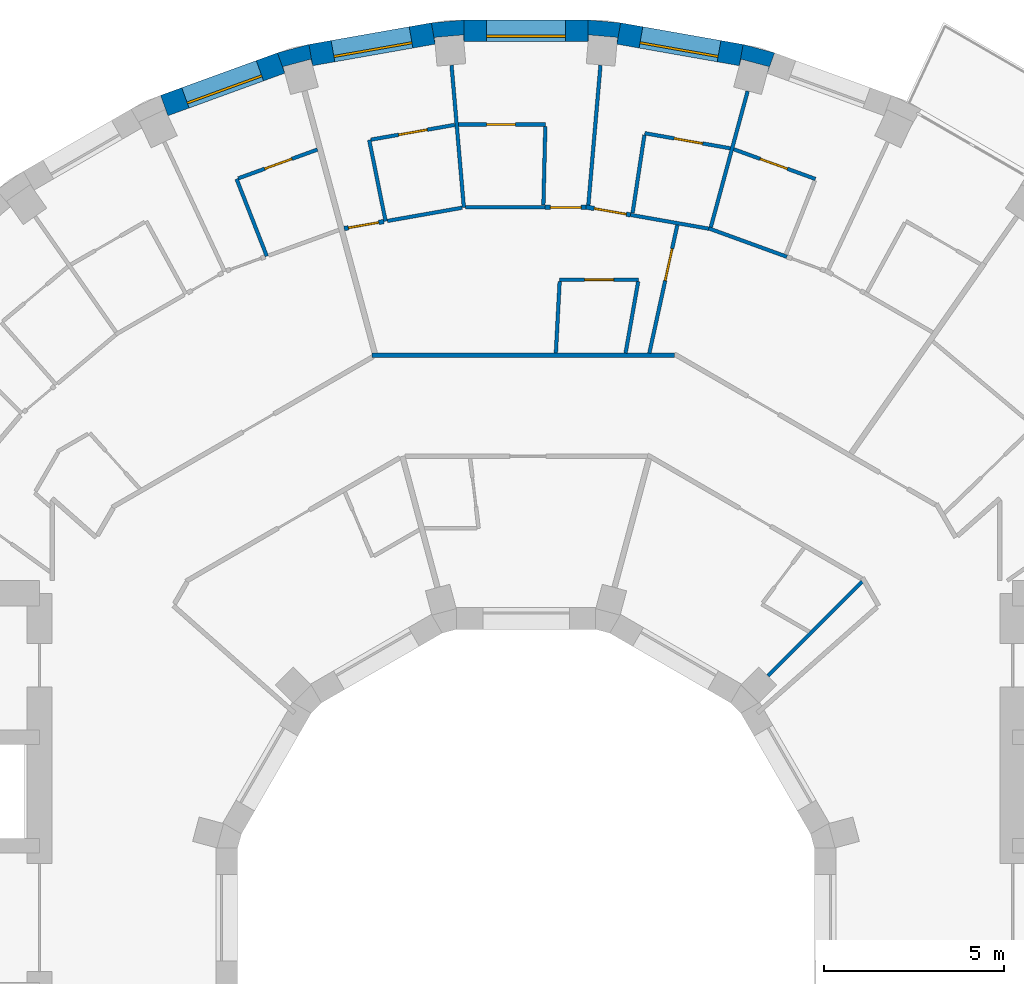
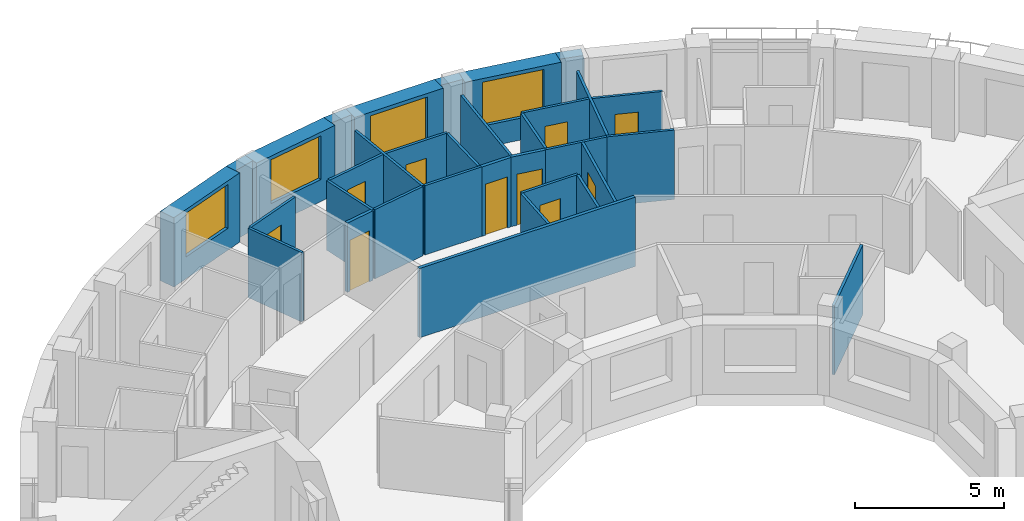
# One storey, part 12 of 15: 33 walls, 10 doors, 4 windows, 14 openings.
"""IFC4 building model written with IfcOpenShell, lengths in metres."""

from ifc_helpers import new_model, si_unit, direction, frame, frame_2d, origin, place, context, subcontext, project, spatial, polyline, rectangle, outline, extrude, material, layer, layer_set, type_object, element, fill, save


model = new_model("IFC4")

# Units and contexts
model_context = context("Model", 3, precision=1e-05, world=origin(), true_north=direction((0.0, 1.0)))
body_context = subcontext(model_context, "Body", "Model", "MODEL_VIEW")
ifc_project = project(units=[si_unit("LENGTHUNIT", "METRE"), si_unit("AREAUNIT", "SQUARE_METRE"), si_unit("VOLUMEUNIT", "CUBIC_METRE"), si_unit("PLANEANGLEUNIT", "RADIAN"), si_unit("MASSUNIT", "GRAM", prefix="KILO")], contexts=[model_context])

# Site, building, storey
site_placement = place(None, origin())
site = spatial("IfcSite", under=ifc_project, at=site_placement, CompositionType="ELEMENT")
building_placement = place(site_placement, origin())
building = spatial("IfcBuilding", under=site, at=building_placement, Name="Saqina Gate Tower", CompositionType="ELEMENT")
storey_placement = place(building_placement, frame((0.0, 0.0, 193.800048828125)))
storey = spatial("IfcBuildingStorey", under=building, at=storey_placement, Name="L55", CompositionType="ELEMENT", Elevation=193.800048828125)

# Walls
ifc_material_1 = material(Name="Brick masonry (buff)", Category="masonry")
wall_type_1 = type_object("IfcWallType", Name="BRICK PIER COPING BUFF", PredefinedType="SOLIDWALL", material=ifc_material_1)
wall_1_placement = place(storey_placement, origin())
element("IfcWall", 1, at=wall_1_placement, inside=storey, type_object=wall_type_1, Name="Pier cap L55 column 8", PredefinedType="SOLIDWALL", context=body_context, shape_type="SweptSolid", body=[
    extrude(outline(polyline([(6.0234375, 24.22705078125), (5.919189453125, 23.635986328125), (5.967529296875, 23.81689453125), (6.740478515625, 23.610107421875), (6.69189453125, 23.428955078125), (6.897216796875, 23.992919921875), (6.0234375, 24.22705078125)])), origin(), (0.0, 0.0, 1.0), 2.849853515625),
])
wall_2_placement = place(storey_placement, origin())
element("IfcWall", 2, at=wall_2_placement, inside=storey, type_object=wall_type_1, Name="Pier cap L55 column 9", PredefinedType="SOLIDWALL", context=body_context, shape_type="SweptSolid", body=[
    extrude(outline(polyline([(2.6259765625, 24.825927734375), (1.724853515625, 24.90478515625), (1.724853515625, 24.304931640625), (1.7412109375, 24.491455078125), (2.5380859375, 24.421630859375), (2.521728515625, 24.235107421875), (2.6259765625, 24.825927734375)])), origin(), (0.0, 0.0, 1.0), 2.849853515625),
])
wall_3_placement = place(storey_placement, origin())
element("IfcWall", 3, at=wall_3_placement, inside=storey, type_object=wall_type_1, Name="Pier cap L55 column 10", PredefinedType="SOLIDWALL", context=body_context, shape_type="SweptSolid", body=[
    extrude(outline(polyline([(-1.724853515625, 24.90478515625), (-2.6259765625, 24.825927734375), (-2.521728515625, 24.235107421875), (-2.5380859375, 24.421630859375), (-1.7412109375, 24.491455078125), (-1.724853515625, 24.304931640625), (-1.724853515625, 24.90478515625)])), origin(), (0.0, 0.0, 1.0), 2.849853515625),
])
wall_4_placement = place(storey_placement, origin())
element("IfcWall", 4, at=wall_4_placement, inside=storey, type_object=wall_type_1, Name="Pier cap L55 column 11", PredefinedType="SOLIDWALL", context=body_context, shape_type="SweptSolid", body=[
    extrude(outline(polyline([(-6.0234375, 24.22705078125), (-6.897216796875, 23.992919921875), (-6.69189453125, 23.428955078125), (-6.740478515625, 23.610107421875), (-5.967529296875, 23.81689453125), (-5.919189453125, 23.635986328125), (-6.0234375, 24.22705078125)])), origin(), (0.0, 0.0, 1.0), 2.849853515625),
])

# Wall, opening, window
ifc_material_2 = material(Name="Brick masonry (buff)", Category="masonry")
ifc_layer_1 = layer(ifc_material_2, 0.60009765625)
ifc_layer_set_1 = layer_set([ifc_layer_1], Name="FW-BRICK-BUFF")
wall_type_2 = type_object("IfcWallType", Name="FW-BRICK-BUFF", PredefinedType="SOLIDWALL", material=ifc_layer_set_1)
wall_5_placement = place(storey_placement, frame((5.97119140625, 23.931640625, 0.0), z_axis=(0.0, 0.0, 1.0), x_axis=(-0.984814892183, 0.173607684551, 0.0)))
wall_5 = element("IfcWall", 5, at=wall_5_placement, inside=storey, type_object=wall_type_2, Name="Facade wall L55 facet 8", PredefinedType="SOLIDWALL", context=body_context, shape_type="SweptSolid", body=[
    extrude(rectangle(XDim=3.44970703125, YDim=0.60009765625, at=frame_2d((1.724853515625, 0.0))), origin(), (0.0, 0.0, 1.0), 2.849853515625),
])
opening_1_placement = place(wall_5_placement, frame((0.625, 0.0, 0.89990234375)))
opening_1 = element("IfcOpeningElement", 6, at=opening_1_placement, cuts=wall_5, Name="Opening G16-W02", PredefinedType="OPENING", context=body_context, shape_type="SweptSolid", body=[
    extrude(rectangle(XDim=2.199951171875, YDim=1.800048828125, at=frame_2d((1.10009765625, 0.89990234375))), frame((0.0, 0.31201171875, 0.0), z_axis=(0.0, -1.0, 0.0), x_axis=(1.0, 0.0, 0.0)), (0.0, 0.0, 1.0), 0.6240234375),
])
ifc_material_3 = material(Name="Aluminium glazing", Category="aluminium")
window_type = type_object("IfcWindowType", Name="WN-C", PartitioningType="SINGLE_PANEL", PredefinedType="WINDOW", material=ifc_material_3)
window_1_placement = place(opening_1_placement, origin())
window_1 = element("IfcWindow", 7, at=window_1_placement, inside=storey, type_object=window_type, Name="Window L55 facet 8", OverallHeight=1.800048828125, OverallWidth=2.199951171875, PartitioningType="SINGLE_PANEL", PredefinedType="WINDOW", context=body_context, shape_type="SweptSolid", body=[
    extrude(rectangle(XDim=2.199951171875, YDim=1.800048828125, at=frame_2d((1.10009765625, 0.89990234375))), frame((0.0, 0.179931640625, 0.0), z_axis=(0.0, -1.0, 0.0), x_axis=(1.0, 0.0, 0.0)), (0.0, 0.0, 1.0), 0.06005859375),
])
fill(opening_1, window_1)

wall_6_placement = place(storey_placement, frame((1.724853515625, 24.60498046875, 0.0), z_axis=(0.0, 0.0, 1.0), x_axis=(-1.0, 0.0, 0.0)))
wall_6 = element("IfcWall", 8, at=wall_6_placement, inside=storey, type_object=wall_type_2, Name="Facade wall L55 facet 9", PredefinedType="SOLIDWALL", context=body_context, shape_type="SweptSolid", body=[
    extrude(rectangle(XDim=3.44970703125, YDim=0.60009765625, at=frame_2d((1.724853515625, 0.0))), origin(), (0.0, 0.0, 1.0), 2.849853515625),
])
opening_2_placement = place(wall_6_placement, frame((0.625, 0.0, 0.89990234375)))
opening_2 = element("IfcOpeningElement", 9, at=opening_2_placement, cuts=wall_6, Name="Opening G16-W03", PredefinedType="OPENING", context=body_context, shape_type="SweptSolid", body=[
    extrude(rectangle(XDim=2.199951171875, YDim=1.800048828125, at=frame_2d((1.10009765625, 0.89990234375))), frame((0.0, 0.31201171875, 0.0), z_axis=(0.0, -1.0, 0.0), x_axis=(1.0, 0.0, 0.0)), (0.0, 0.0, 1.0), 0.6240234375),
])
window_2_placement = place(opening_2_placement, origin())
window_2 = element("IfcWindow", 10, at=window_2_placement, inside=storey, type_object=window_type, Name="Window L55 facet 9", OverallHeight=1.800048828125, OverallWidth=2.199951171875, PartitioningType="SINGLE_PANEL", PredefinedType="WINDOW", context=body_context, shape_type="SweptSolid", body=[
    extrude(rectangle(XDim=2.199951171875, YDim=1.800048828125, at=frame_2d((1.10009765625, 0.89990234375))), frame((0.0, 0.179931640625, 0.0), z_axis=(0.0, -1.0, 0.0), x_axis=(1.0, 0.0, 0.0)), (0.0, 0.0, 1.0), 0.06005859375),
])
fill(opening_2, window_2)

wall_7_placement = place(storey_placement, frame((-2.573974609375, 24.530517578125, 0.0), z_axis=(0.0, 0.0, 1.0), x_axis=(-0.984814892183, -0.173607684551, 0.0)))
wall_7 = element("IfcWall", 11, at=wall_7_placement, inside=storey, type_object=wall_type_2, Name="Facade wall L55 facet 10", PredefinedType="SOLIDWALL", context=body_context, shape_type="SweptSolid", body=[
    extrude(rectangle(XDim=3.44970703125, YDim=0.60009765625, at=frame_2d((1.724853515625, 0.0))), origin(), (0.0, 0.0, 1.0), 2.849853515625),
])
opening_3_placement = place(wall_7_placement, frame((0.625, 0.0, 0.89990234375)))
opening_3 = element("IfcOpeningElement", 12, at=opening_3_placement, cuts=wall_7, Name="Opening G16-W04", PredefinedType="OPENING", context=body_context, shape_type="SweptSolid", body=[
    extrude(rectangle(XDim=2.199951171875, YDim=1.800048828125, at=frame_2d((1.10009765625, 0.89990234375))), frame((0.0, 0.31201171875, 0.0), z_axis=(0.0, -1.0, 0.0), x_axis=(1.0, 0.0, 0.0)), (0.0, 0.0, 1.0), 0.6240234375),
])
window_3_placement = place(opening_3_placement, origin())
window_3 = element("IfcWindow", 13, at=window_3_placement, inside=storey, type_object=window_type, Name="Window L55 facet 10", OverallHeight=1.800048828125, OverallWidth=2.199951171875, PartitioningType="SINGLE_PANEL", PredefinedType="WINDOW", context=body_context, shape_type="SweptSolid", body=[
    extrude(rectangle(XDim=2.199951171875, YDim=1.800048828125, at=frame_2d((1.10009765625, 0.89990234375))), frame((0.0, 0.179931640625, 0.0), z_axis=(0.0, -1.0, 0.0), x_axis=(1.0, 0.0, 0.0)), (0.0, 0.0, 1.0), 0.06005859375),
])
fill(opening_3, window_3)

wall_8_placement = place(storey_placement, frame((-6.79443359375, 23.7109375, 0.0), z_axis=(0.0, 0.0, 1.0), x_axis=(-0.93968799822, -0.342032843455, 0.0)))
wall_8 = element("IfcWall", 14, at=wall_8_placement, inside=storey, type_object=wall_type_2, Name="Facade wall L55 facet 11", PredefinedType="SOLIDWALL", context=body_context, shape_type="SweptSolid", body=[
    extrude(rectangle(XDim=3.44970703125, YDim=0.60009765625, at=frame_2d((1.724853515625, 0.0))), origin(), (0.0, 0.0, 1.0), 2.849853515625),
])
opening_4_placement = place(wall_8_placement, frame((0.625, 0.0, 0.89990234375)))
opening_4 = element("IfcOpeningElement", 15, at=opening_4_placement, cuts=wall_8, Name="Opening G16-W05", PredefinedType="OPENING", context=body_context, shape_type="SweptSolid", body=[
    extrude(rectangle(XDim=2.199951171875, YDim=1.800048828125, at=frame_2d((1.10009765625, 0.89990234375))), frame((0.0, 0.31201171875, 0.0), z_axis=(0.0, -1.0, 0.0), x_axis=(1.0, 0.0, 0.0)), (0.0, 0.0, 1.0), 0.6240234375),
])
window_4_placement = place(opening_4_placement, origin())
window_4 = element("IfcWindow", 16, at=window_4_placement, inside=storey, type_object=window_type, Name="Window L55 facet 11", OverallHeight=1.800048828125, OverallWidth=2.199951171875, PartitioningType="SINGLE_PANEL", PredefinedType="WINDOW", context=body_context, shape_type="SweptSolid", body=[
    extrude(rectangle(XDim=2.199951171875, YDim=1.800048828125, at=frame_2d((1.10009765625, 0.89990234375))), frame((0.0, 0.179931640625, 0.0), z_axis=(0.0, -1.0, 0.0), x_axis=(1.0, 0.0, 0.0)), (0.0, 0.0, 1.0), 0.06005859375),
])
fill(opening_4, window_4)

# Walls
ifc_material_4 = material(Name="Gypsum board on steel studs, 100 mm", Category="steel")
ifc_layer_2 = layer(ifc_material_4, 0.10009765625)
ifc_layer_set_2 = layer_set([ifc_layer_2], Name="PARTITION 100")
wall_type_3 = type_object("IfcWallType", Name="PARTITION 100", PredefinedType="PARTITIONING", material=ifc_layer_set_2)
wall_9_placement = place(storey_placement, frame((-2.066162109375, 23.64990234375, 0.0), z_axis=(0.0, 0.0, 1.0), x_axis=(0.086382173885, -0.996262073972, 0.0)))
element("IfcWall", 17, at=wall_9_placement, inside=storey, type_object=wall_type_3, Name="PARTITION PW3-02", PredefinedType="PARTITIONING", context=body_context, shape_type="SweptSolid", body=[
    extrude(rectangle(XDim=3.959716796875, YDim=0.10009765625, at=frame_2d((1.97998046875, 0.0))), origin(), (0.0, 0.0, 1.0), 2.849853515625),
])
for number, where, z_axis, x_axis, name in (
    (18, (-4.35009765625, 21.576904296875, 0.0), (0.0, 0.0, 1.0), (0.197830277374, -0.980236288532, 0.0), "PARTITION PW3-07"),
    (19, (-8.030029296875, 20.493896484375, 0.0), (0.0, 0.0, 1.0), (0.364775478286, -0.931095510912, 0.0), "PARTITION PW3-10"),
):
    element("IfcWall", number, at=place(storey_placement, frame(where, z_axis=z_axis, x_axis=x_axis)), inside=storey, type_object=wall_type_3, Name=name, PredefinedType="PARTITIONING", context=body_context, shape_type="SweptSolid", body=[
        extrude(rectangle(XDim=2.30029296875, YDim=0.10009765625, at=frame_2d((1.150146484375, 0.0))), origin(), (0.0, 0.0, 1.0), 2.849853515625),
    ])
wall_10_placement = place(storey_placement, frame((5.0712890625, 19.123291015625, 0.0), z_axis=(0.0, 0.0, 1.0), x_axis=(0.939734670151, -0.34190459154, 0.0)))
element("IfcWall", 20, at=wall_10_placement, inside=storey, type_object=wall_type_3, Name="PARTITION PW3-45", PredefinedType="PARTITIONING", context=body_context, shape_type="SweptSolid", body=[
    extrude(rectangle(XDim=2.3056640625, YDim=0.10009765625, at=frame_2d((1.15283203125, 0.0))), origin(), (0.0, 0.0, 1.0), 2.849853515625),
])

# Wall, opening, door
wall_11_placement = place(storey_placement, frame((5.763916015625, 21.31884765625, 0.0), z_axis=(0.0, 0.0, 1.0), x_axis=(0.939672176826, -0.342076307422, 0.0)))
wall_11 = element("IfcWall", 21, at=wall_11_placement, inside=storey, type_object=wall_type_3, Name="PARTITION PW3-46", PredefinedType="PARTITIONING", context=body_context, shape_type="SweptSolid", body=[
    extrude(rectangle(XDim=2.41162109375, YDim=0.10009765625, at=frame_2d((1.205810546875, 0.0))), origin(), (0.0, 0.0, 1.0), 2.849853515625),
])
opening_5_placement = place(wall_11_placement, frame((0.78076171875, 0.0, 0.0)))
opening_5 = element("IfcOpeningElement", 22, at=opening_5_placement, cuts=wall_11, Name="Opening G16-D10", PredefinedType="OPENING", context=body_context, shape_type="SweptSolid", body=[
    extrude(rectangle(XDim=0.800048828125, YDim=2.10009765625, at=frame_2d((0.39990234375, 1.050048828125))), frame((0.0, 0.06201171875, 0.0), z_axis=(0.0, -1.0, 0.0), x_axis=(1.0, 0.0, 0.0)), (0.0, 0.0, 1.0), 0.1240234375),
])
ifc_material_5 = material(Name="Timber door leaf, 800 mm", Category="wood")
door_type_1 = type_object("IfcDoorType", Name="DOOR 800 TIMBER", OperationType="SINGLE_SWING_LEFT", PredefinedType="DOOR", material=ifc_material_5)
door_1_placement = place(opening_5_placement, origin())
door_1 = element("IfcDoor", 23, at=door_1_placement, inside=storey, type_object=door_type_1, Name="DOOR G16-D10", OperationType="SINGLE_SWING_LEFT", OverallHeight=2.10009765625, OverallWidth=0.800048828125, PredefinedType="DOOR", context=body_context, shape_type="SweptSolid", body=[
    extrude(rectangle(XDim=0.800048828125, YDim=2.10009765625, at=frame_2d((0.39990234375, 1.050048828125))), frame((0.0, 0.02490234375, 0.0), z_axis=(0.0, -1.0, 0.0), x_axis=(1.0, 0.0, 0.0)), (0.0, 0.0, 1.0), 0.050048828125),
])
fill(opening_5, door_1)

# Wall
wall_12_placement = place(storey_placement, frame((2.898681640625, 19.497802734375, 0.0), z_axis=(0.0, 0.0, 1.0), x_axis=(0.984790246942, -0.173747430277, 0.0)))
element("IfcWall", 24, at=wall_12_placement, inside=storey, type_object=wall_type_3, Name="PARTITION PW3-49", PredefinedType="PARTITIONING", context=body_context, shape_type="SweptSolid", body=[
    extrude(rectangle(XDim=2.20458984375, YDim=0.10009765625, at=frame_2d((1.102294921875, 0.0))), origin(), (0.0, 0.0, 1.0), 2.849853515625),
])

# Wall, opening, door
wall_13_placement = place(storey_placement, frame((3.29296875, 21.763916015625, 0.0), z_axis=(0.0, 0.0, 1.0), x_axis=(0.984775404062, -0.173831537861, 0.0)))
wall_13 = element("IfcWall", 25, at=wall_13_placement, inside=storey, type_object=wall_type_3, Name="PARTITION PW3-50", PredefinedType="PARTITIONING", context=body_context, shape_type="SweptSolid", body=[
    extrude(rectangle(XDim=2.411376953125, YDim=0.10009765625, at=frame_2d((1.20556640625, 0.0))), origin(), (0.0, 0.0, 1.0), 2.849853515625),
])
opening_6_placement = place(wall_13_placement, frame((0.830810546875, 0.0, 0.0)))
opening_6 = element("IfcOpeningElement", 26, at=opening_6_placement, cuts=wall_13, Name="Opening G16-D12", PredefinedType="OPENING", context=body_context, shape_type="SweptSolid", body=[
    extrude(rectangle(XDim=0.800048828125, YDim=2.10009765625, at=frame_2d((0.39990234375, 1.050048828125))), frame((0.0, 0.06201171875, 0.0), z_axis=(0.0, -1.0, 0.0), x_axis=(1.0, 0.0, 0.0)), (0.0, 0.0, 1.0), 0.1240234375),
])
door_2_placement = place(opening_6_placement, origin())
door_2 = element("IfcDoor", 27, at=door_2_placement, inside=storey, type_object=door_type_1, Name="DOOR G16-D12", OperationType="SINGLE_SWING_RIGHT", OverallHeight=2.10009765625, OverallWidth=0.800048828125, PredefinedType="DOOR", context=body_context, shape_type="SweptSolid", body=[
    extrude(rectangle(XDim=0.800048828125, YDim=2.10009765625, at=frame_2d((0.39990234375, 1.050048828125))), frame((0.0, 0.02490234375, 0.0), z_axis=(0.0, -1.0, 0.0), x_axis=(1.0, 0.0, 0.0)), (0.0, 0.0, 1.0), 0.050048828125),
])
fill(opening_6, door_2)

wall_14_placement = place(storey_placement, frame((0.93603515625, 17.699951171875, 0.0), z_axis=(0.0, 0.0, 1.0), x_axis=(1.0, 0.0, 0.0)))
wall_14 = element("IfcWall", 28, at=wall_14_placement, inside=storey, type_object=wall_type_3, Name="PARTITION PW3-56", PredefinedType="PARTITIONING", context=body_context, shape_type="SweptSolid", body=[
    extrude(rectangle(XDim=2.18505859375, YDim=0.10009765625, at=frame_2d((1.092529296875, 0.0))), origin(), (0.0, 0.0, 1.0), 2.849853515625),
])
opening_7_placement = place(wall_14_placement, frame((0.6923828125, 0.0, 0.0)))
opening_7 = element("IfcOpeningElement", 29, at=opening_7_placement, cuts=wall_14, Name="Opening G16-D14", PredefinedType="OPENING", context=body_context, shape_type="SweptSolid", body=[
    extrude(rectangle(XDim=0.800048828125, YDim=2.10009765625, at=frame_2d((0.39990234375, 1.050048828125))), frame((0.0, 0.06201171875, 0.0), z_axis=(0.0, -1.0, 0.0), x_axis=(1.0, 0.0, 0.0)), (0.0, 0.0, 1.0), 0.1240234375),
])
door_3_placement = place(opening_7_placement, origin())
door_3 = element("IfcDoor", 30, at=door_3_placement, inside=storey, type_object=door_type_1, Name="DOOR G16-D14", OperationType="SINGLE_SWING_RIGHT", OverallHeight=2.10009765625, OverallWidth=0.800048828125, PredefinedType="DOOR", context=body_context, shape_type="SweptSolid", body=[
    extrude(rectangle(XDim=0.800048828125, YDim=2.10009765625, at=frame_2d((0.39990234375, 1.050048828125))), frame((0.0, 0.02490234375, 0.0), z_axis=(0.0, -1.0, 0.0), x_axis=(1.0, 0.0, 0.0)), (0.0, 0.0, 1.0), 0.050048828125),
])
fill(opening_7, door_3)

# Wall
wall_15_placement = place(storey_placement, frame((-1.674072265625, 19.705078125, 0.0), z_axis=(0.0, 0.0, 1.0), x_axis=(1.0, 0.0, 0.0)))
element("IfcWall", 31, at=wall_15_placement, inside=storey, type_object=wall_type_3, Name="PARTITION PW3-57", PredefinedType="PARTITIONING", context=body_context, shape_type="SweptSolid", body=[
    extrude(rectangle(XDim=2.205078125, YDim=0.10009765625, at=frame_2d((1.1025390625, 0.0))), origin(), (0.0, 0.0, 1.0), 2.849853515625),
])

# Wall, opening, door
wall_16_placement = place(storey_placement, frame((-1.875, 22.0048828125, 0.0), z_axis=(0.0, 0.0, 1.0), x_axis=(1.0, 0.0, 0.0)))
wall_16 = element("IfcWall", 32, at=wall_16_placement, inside=storey, type_object=wall_type_3, Name="PARTITION PW3-58", PredefinedType="PARTITIONING", context=body_context, shape_type="SweptSolid", body=[
    extrude(rectangle(XDim=2.412109375, YDim=0.10009765625, at=frame_2d((1.2060546875, 0.0))), origin(), (0.0, 0.0, 1.0), 2.849853515625),
])
opening_8_placement = place(wall_16_placement, frame((0.781005859375, 0.0, 0.0)))
opening_8 = element("IfcOpeningElement", 33, at=opening_8_placement, cuts=wall_16, Name="Opening G16-D17", PredefinedType="OPENING", context=body_context, shape_type="SweptSolid", body=[
    extrude(rectangle(XDim=0.800048828125, YDim=2.10009765625, at=frame_2d((0.39990234375, 1.050048828125))), frame((0.0, 0.06201171875, 0.0), z_axis=(0.0, -1.0, 0.0), x_axis=(1.0, 0.0, 0.0)), (0.0, 0.0, 1.0), 0.1240234375),
])
door_4_placement = place(opening_8_placement, origin())
door_4 = element("IfcDoor", 34, at=door_4_placement, inside=storey, type_object=door_type_1, Name="DOOR G16-D17", OperationType="SINGLE_SWING_LEFT", OverallHeight=2.10009765625, OverallWidth=0.800048828125, PredefinedType="DOOR", context=body_context, shape_type="SweptSolid", body=[
    extrude(rectangle(XDim=0.800048828125, YDim=2.10009765625, at=frame_2d((0.39990234375, 1.050048828125))), frame((0.0, 0.02490234375, 0.0), z_axis=(0.0, -1.0, 0.0), x_axis=(1.0, 0.0, 0.0)), (0.0, 0.0, 1.0), 0.050048828125),
])
fill(opening_8, door_4)

# Wall
wall_17_placement = place(storey_placement, frame((-3.845703125, 19.33056640625, 0.0), z_axis=(0.0, 0.0, 1.0), x_axis=(0.984784726653, 0.173778716047, 0.0)))
element("IfcWall", 35, at=wall_17_placement, inside=storey, type_object=wall_type_3, Name="PARTITION PW3-61", PredefinedType="PARTITIONING", context=body_context, shape_type="SweptSolid", body=[
    extrude(rectangle(XDim=2.1044921875, YDim=0.10009765625, at=frame_2d((1.05224609375, 0.0))), origin(), (0.0, 0.0, 1.0), 2.849853515625),
])

# Wall, opening, door
wall_18_placement = place(storey_placement, frame((-4.30078125, 21.585693359375, 0.0), z_axis=(0.0, 0.0, 1.0), x_axis=(0.984779397408, 0.173808913582, 0.0)))
wall_18 = element("IfcWall", 36, at=wall_18_placement, inside=storey, type_object=wall_type_3, Name="PARTITION PW3-62", PredefinedType="PARTITIONING", context=body_context, shape_type="SweptSolid", body=[
    extrude(rectangle(XDim=2.362548828125, YDim=0.10009765625, at=frame_2d((1.18115234375, 0.0))), origin(), (0.0, 0.0, 1.0), 2.849853515625),
])
opening_9_placement = place(wall_18_placement, frame((0.78125, 0.0, 0.0)))
opening_9 = element("IfcOpeningElement", 37, at=opening_9_placement, cuts=wall_18, Name="Opening G16-D19", PredefinedType="OPENING", context=body_context, shape_type="SweptSolid", body=[
    extrude(rectangle(XDim=0.800048828125, YDim=2.10009765625, at=frame_2d((0.39990234375, 1.050048828125))), frame((0.0, 0.06201171875, 0.0), z_axis=(0.0, -1.0, 0.0), x_axis=(1.0, 0.0, 0.0)), (0.0, 0.0, 1.0), 0.1240234375),
])
door_5_placement = place(opening_9_placement, origin())
door_5 = element("IfcDoor", 38, at=door_5_placement, inside=storey, type_object=door_type_1, Name="DOOR G16-D19", OperationType="SINGLE_SWING_LEFT", OverallHeight=2.10009765625, OverallWidth=0.800048828125, PredefinedType="DOOR", context=body_context, shape_type="SweptSolid", body=[
    extrude(rectangle(XDim=0.800048828125, YDim=2.10009765625, at=frame_2d((0.39990234375, 1.050048828125))), frame((0.0, 0.02490234375, 0.0), z_axis=(0.0, -1.0, 0.0), x_axis=(1.0, 0.0, 0.0)), (0.0, 0.0, 1.0), 0.050048828125),
])
fill(opening_9, door_5)

wall_19_placement = place(storey_placement, frame((-7.98291015625, 20.510986328125, 0.0), z_axis=(0.0, 0.0, 1.0), x_axis=(0.939652995513, 0.342128993251, 0.0)))
wall_19 = element("IfcWall", 39, at=wall_19_placement, inside=storey, type_object=wall_type_3, Name="PARTITION PW3-66", PredefinedType="PARTITIONING", context=body_context, shape_type="SweptSolid", body=[
    extrude(rectangle(XDim=2.336181640625, YDim=0.10009765625, at=frame_2d((1.16796875, 0.0))), origin(), (0.0, 0.0, 1.0), 2.849853515625),
])
opening_10_placement = place(wall_19_placement, frame((0.78076171875, 0.0, 0.0)))
opening_10 = element("IfcOpeningElement", 40, at=opening_10_placement, cuts=wall_19, Name="Opening G16-D21", PredefinedType="OPENING", context=body_context, shape_type="SweptSolid", body=[
    extrude(rectangle(XDim=0.800048828125, YDim=2.10009765625, at=frame_2d((0.39990234375, 1.050048828125))), frame((0.0, 0.06201171875, 0.0), z_axis=(0.0, -1.0, 0.0), x_axis=(1.0, 0.0, 0.0)), (0.0, 0.0, 1.0), 0.1240234375),
])
door_6_placement = place(opening_10_placement, origin())
door_6 = element("IfcDoor", 41, at=door_6_placement, inside=storey, type_object=door_type_1, Name="DOOR G16-D21", OperationType="SINGLE_SWING_RIGHT", OverallHeight=2.10009765625, OverallWidth=0.800048828125, PredefinedType="DOOR", context=body_context, shape_type="SweptSolid", body=[
    extrude(rectangle(XDim=0.800048828125, YDim=2.10009765625, at=frame_2d((0.39990234375, 1.050048828125))), frame((0.0, 0.02490234375, 0.0), z_axis=(0.0, -1.0, 0.0), x_axis=(1.0, 0.0, 0.0)), (0.0, 0.0, 1.0), 0.050048828125),
])
fill(opening_10, door_6)

# Walls
wall_20_placement = place(storey_placement, frame((6.7119140625, 6.7119140625, 0.0), z_axis=(0.0, 0.0, 1.0), x_axis=(0.707106781187, 0.707106781187, 0.0)))
element("IfcWall", 42, at=wall_20_placement, inside=storey, type_object=wall_type_3, Name="PARTITION PW3-80", PredefinedType="PARTITIONING", context=body_context, shape_type="SweptSolid", body=[
    extrude(rectangle(XDim=3.69677734375, YDim=0.10009765625, at=frame_2d((1.848388671875, 0.0))), origin(), (0.0, 0.0, 1.0), 2.849853515625),
])
wall_21_placement = place(storey_placement, frame((5.126953125, 19.155517578125, 0.0), z_axis=(0.0, 0.0, 1.0), x_axis=(0.261236113371, 0.965274931339, 0.0)))
element("IfcWall", 43, at=wall_21_placement, inside=storey, type_object=wall_type_3, Name="PARTITION PW3-93", PredefinedType="PARTITIONING", context=body_context, shape_type="SweptSolid", body=[
    extrude(rectangle(XDim=3.91015625, YDim=0.10009765625, at=frame_2d((1.955078125, 0.0))), origin(), (0.0, 0.0, 1.0), 2.849853515625),
])

# Wall, opening, door
wall_22_placement = place(storey_placement, frame((3.42138671875, 15.6611328125, 0.0), z_axis=(0.0, 0.0, 1.0), x_axis=(0.213434819618, 0.976957306014, 0.0)))
wall_22 = element("IfcWall", 44, at=wall_22_placement, inside=storey, type_object=wall_type_3, Name="PARTITION PW3-95", PredefinedType="PARTITIONING", context=body_context, shape_type="SweptSolid", body=[
    extrude(rectangle(XDim=3.639892578125, YDim=0.10009765625, at=frame_2d((1.81982421875, 0.0))), origin(), (0.0, 0.0, 1.0), 2.849853515625),
])
opening_11_placement = place(wall_22_placement, frame((2.063720703125, 0.0, 0.0)))
opening_11 = element("IfcOpeningElement", 45, at=opening_11_placement, cuts=wall_22, Name="Opening G16-D11", PredefinedType="OPENING", context=body_context, shape_type="SweptSolid", body=[
    extrude(rectangle(XDim=0.89990234375, YDim=2.10009765625, at=frame_2d((0.449951171875, 1.050048828125))), frame((0.0, 0.06201171875, 0.0), z_axis=(0.0, -1.0, 0.0), x_axis=(1.0, 0.0, 0.0)), (0.0, 0.0, 1.0), 0.1240234375),
])
ifc_material_6 = material(Name="Timber door leaf, 900 mm", Category="wood")
door_type_2 = type_object("IfcDoorType", Name="DOOR 900 TIMBER", OperationType="SINGLE_SWING_LEFT", PredefinedType="DOOR", material=ifc_material_6)
door_7_placement = place(opening_11_placement, origin())
door_7 = element("IfcDoor", 46, at=door_7_placement, inside=storey, type_object=door_type_2, Name="DOOR G16-D11", OperationType="SINGLE_SWING_LEFT", OverallHeight=2.10009765625, OverallWidth=0.89990234375, PredefinedType="DOOR", context=body_context, shape_type="SweptSolid", body=[
    extrude(rectangle(XDim=0.89990234375, YDim=2.10009765625, at=frame_2d((0.449951171875, 1.050048828125))), frame((0.0, 0.02490234375, 0.0), z_axis=(0.0, -1.0, 0.0), x_axis=(1.0, 0.0, 0.0)), (0.0, 0.0, 1.0), 0.050048828125),
])
fill(opening_11, door_7)

# Walls
wall_23_placement = place(storey_placement, frame((2.761962890625, 15.66162109375, 0.0), z_axis=(0.0, 0.0, 1.0), x_axis=(0.17344745746, 0.98484312431, 0.0)))
element("IfcWall", 47, at=wall_23_placement, inside=storey, type_object=wall_type_3, Name="PARTITION PW3-97", PredefinedType="PARTITIONING", context=body_context, shape_type="SweptSolid", body=[
    extrude(rectangle(XDim=2.019775390625, YDim=0.10009765625, at=frame_2d((1.009765625, 0.0))), origin(), (0.0, 0.0, 1.0), 2.849853515625),
])
wall_24_placement = place(storey_placement, frame((2.957275390625, 19.55078125, 0.0), z_axis=(0.0, 0.0, 1.0), x_axis=(0.149927646316, 0.988696971205, 0.0)))
element("IfcWall", 48, at=wall_24_placement, inside=storey, type_object=wall_type_3, Name="PARTITION PW3-98", PredefinedType="PARTITIONING", context=body_context, shape_type="SweptSolid", body=[
    extrude(rectangle(XDim=2.1884765625, YDim=0.10009765625, at=frame_2d((1.09423828125, 0.0))), origin(), (0.0, 0.0, 1.0), 2.849853515625),
])
wall_25_placement = place(storey_placement, frame((1.7294921875, 19.767333984375, 0.0), z_axis=(0.0, 0.0, 1.0), x_axis=(0.086389019771, 0.996261480367, 0.0)))
element("IfcWall", 49, at=wall_25_placement, inside=storey, type_object=wall_type_3, Name="PARTITION PW3-101", PredefinedType="PARTITIONING", context=body_context, shape_type="SweptSolid", body=[
    extrude(rectangle(XDim=3.897216796875, YDim=0.10009765625, at=frame_2d((1.94873046875, 0.0))), origin(), (0.0, 0.0, 1.0), 2.849853515625),
])
wall_26_placement = place(storey_placement, frame((0.828369140625, 15.662353515625, 0.0), z_axis=(0.0, 0.0, 1.0), x_axis=(0.052739078894, 0.998608326401, 0.0)))
element("IfcWall", 50, at=wall_26_placement, inside=storey, type_object=wall_type_3, Name="PARTITION PW3-103", PredefinedType="PARTITIONING", context=body_context, shape_type="SweptSolid", body=[
    extrude(rectangle(XDim=1.990478515625, YDim=0.10009765625, at=frame_2d((0.9951171875, 0.0))), origin(), (0.0, 0.0, 1.0), 2.849853515625),
])
wall_27_placement = place(storey_placement, frame((0.482421875, 19.767578125, 0.0), z_axis=(0.0, 0.0, 1.0), x_axis=(0.024434666623, 0.999701428961, 0.0)))
element("IfcWall", 51, at=wall_27_placement, inside=storey, type_object=wall_type_3, Name="PARTITION PW3-104", PredefinedType="PARTITIONING", context=body_context, shape_type="SweptSolid", body=[
    extrude(rectangle(XDim=2.188232421875, YDim=0.10009765625, at=frame_2d((1.09423828125, 0.0))), origin(), (0.0, 0.0, 1.0), 2.849853515625),
])

# Wall, opening, door
ifc_material_7 = material(Name="Gypsum board on steel studs, 125 mm, fire rated", Category="steel")
ifc_layer_3 = layer(ifc_material_7, 0.125)
ifc_layer_set_3 = layer_set([ifc_layer_3], Name="PARTITION EI 30 125")
wall_type_4 = type_object("IfcWallType", Name="PARTITION EI 30 125", PredefinedType="PARTITIONING", material=ifc_layer_set_3)
wall_28_placement = place(storey_placement, frame((1.66162109375, 19.716064453125, 0.0), z_axis=(0.0, 0.0, 1.0), x_axis=(0.984789427994, -0.173752071961, 0.0)))
wall_28 = element("IfcWall", 52, at=wall_28_placement, inside=storey, type_object=wall_type_4, Name="PARTITION PW1-21", PredefinedType="PARTITIONING", context=body_context, shape_type="SweptSolid", body=[
    extrude(rectangle(XDim=1.256103515625, YDim=0.125, at=frame_2d((0.6279296875, 0.0))), origin(), (0.0, 0.0, 1.0), 2.849853515625),
])
opening_12_placement = place(wall_28_placement, frame((0.23486328125, 0.0, 0.0)))
opening_12 = element("IfcOpeningElement", 53, at=opening_12_placement, cuts=wall_28, Name="Opening G16-D13", PredefinedType="OPENING", context=body_context, shape_type="SweptSolid", body=[
    extrude(rectangle(XDim=0.89990234375, YDim=2.10009765625, at=frame_2d((0.449951171875, 1.050048828125))), frame((0.0, 0.074462890625, 0.0), z_axis=(0.0, -1.0, 0.0), x_axis=(1.0, 0.0, 0.0)), (0.0, 0.0, 1.0), 0.14892578125),
])
ifc_material_8 = material(Name="Fire door leaf EI 30, 900 mm")
door_type_3 = type_object("IfcDoorType", Name="DOOR 900 EI 30", OperationType="SINGLE_SWING_LEFT", PredefinedType="DOOR", material=ifc_material_8)
door_8_placement = place(opening_12_placement, frame((0.89990234375, 0.0, 0.0), z_axis=(0.0, 0.0, 1.0), x_axis=(-1.0, 0.0, 0.0)))
door_8 = element("IfcDoor", 54, at=door_8_placement, inside=storey, type_object=door_type_3, Name="DOOR G16-D13", OperationType="SINGLE_SWING_RIGHT", OverallHeight=2.10009765625, OverallWidth=0.89990234375, PredefinedType="DOOR", context=body_context, shape_type="SweptSolid", body=[
    extrude(rectangle(XDim=0.89990234375, YDim=2.10009765625, at=frame_2d((0.449951171875, 1.050048828125))), frame((0.0, 0.02490234375, 0.0), z_axis=(0.0, -1.0, 0.0), x_axis=(1.0, 0.0, 0.0)), (0.0, 0.0, 1.0), 0.050048828125),
])
fill(opening_12, door_8)

# Wall
wall_29_placement = place(storey_placement, frame((-4.2666015625, 15.60009765625, 0.0), z_axis=(0.0, 0.0, 1.0), x_axis=(1.0, 0.0, 0.0)))
element("IfcWall", 55, at=wall_29_placement, inside=storey, type_object=wall_type_4, Name="PARTITION PW1-26", PredefinedType="PARTITIONING", context=body_context, shape_type="SweptSolid", body=[
    extrude(rectangle(XDim=8.384033203125, YDim=0.125, at=frame_2d((4.19189453125, 0.0))), origin(), (0.0, 0.0, 1.0), 2.849853515625),
])

# Wall, opening, door
wall_30_placement = place(storey_placement, frame((0.531005859375, 19.705078125, 0.0), z_axis=(0.0, 0.0, 1.0), x_axis=(1.0, 0.0, 0.0)))
wall_30 = element("IfcWall", 56, at=wall_30_placement, inside=storey, type_object=wall_type_4, Name="PARTITION PW1-27", PredefinedType="PARTITIONING", context=body_context, shape_type="SweptSolid", body=[
    extrude(rectangle(XDim=1.130615234375, YDim=0.125, at=frame_2d((0.5654296875, 0.0))), origin(), (0.0, 0.0, 1.0), 2.849853515625),
])
opening_13_placement = place(wall_30_placement, frame((0.146484375, 0.0, 0.0)))
opening_13 = element("IfcOpeningElement", 57, at=opening_13_placement, cuts=wall_30, Name="Opening G16-D15", PredefinedType="OPENING", context=body_context, shape_type="SweptSolid", body=[
    extrude(rectangle(XDim=0.85009765625, YDim=2.10009765625, at=frame_2d((0.425048828125, 1.050048828125))), frame((0.0, 0.074462890625, 0.0), z_axis=(0.0, -1.0, 0.0), x_axis=(1.0, 0.0, 0.0)), (0.0, 0.0, 1.0), 0.14892578125),
])
ifc_material_9 = material(Name="Fire door leaf EI 30, 850 mm")
door_type_4 = type_object("IfcDoorType", Name="DOOR 850 EI 30", OperationType="SINGLE_SWING_LEFT", PredefinedType="DOOR", material=ifc_material_9)
door_9_placement = place(opening_13_placement, frame((0.85009765625, 0.0, 0.0), z_axis=(0.0, 0.0, 1.0), x_axis=(-1.0, 0.0, 0.0)))
door_9 = element("IfcDoor", 58, at=door_9_placement, inside=storey, type_object=door_type_4, Name="DOOR G16-D15", OperationType="SINGLE_SWING_LEFT", OverallHeight=2.10009765625, OverallWidth=0.85009765625, PredefinedType="DOOR", context=body_context, shape_type="SweptSolid", body=[
    extrude(rectangle(XDim=0.85009765625, YDim=2.10009765625, at=frame_2d((0.425048828125, 1.050048828125))), frame((0.0, 0.02490234375, 0.0), z_axis=(0.0, -1.0, 0.0), x_axis=(1.0, 0.0, 0.0)), (0.0, 0.0, 1.0), 0.050048828125),
])
fill(opening_13, door_9)

wall_31_placement = place(storey_placement, frame((-5.045166015625, 19.119140625, 0.0), z_axis=(0.0, 0.0, 1.0), x_axis=(0.984809932548, 0.173635816451, 0.0)))
wall_31 = element("IfcWall", 59, at=wall_31_placement, inside=storey, type_object=wall_type_4, Name="PARTITION PW1-29", PredefinedType="PARTITIONING", context=body_context, shape_type="SweptSolid", body=[
    extrude(rectangle(XDim=1.117919921875, YDim=0.125, at=frame_2d((0.55908203125, 0.0))), origin(), (0.0, 0.0, 1.0), 2.849853515625),
])
opening_14_placement = place(wall_31_placement, frame((0.12158203125, 0.0, 0.0)))
opening_14 = element("IfcOpeningElement", 60, at=opening_14_placement, cuts=wall_31, Name="Opening G16-D20", PredefinedType="OPENING", context=body_context, shape_type="SweptSolid", body=[
    extrude(rectangle(XDim=0.85009765625, YDim=2.10009765625, at=frame_2d((0.425048828125, 1.050048828125))), frame((0.0, 0.074462890625, 0.0), z_axis=(0.0, -1.0, 0.0), x_axis=(1.0, 0.0, 0.0)), (0.0, 0.0, 1.0), 0.14892578125),
])
door_10_placement = place(opening_14_placement, frame((0.85009765625, 0.0, 0.0), z_axis=(0.0, 0.0, 1.0), x_axis=(-1.0, 0.0, 0.0)))
door_10 = element("IfcDoor", 61, at=door_10_placement, inside=storey, type_object=door_type_4, Name="DOOR G16-D20", OperationType="SINGLE_SWING_RIGHT", OverallHeight=2.10009765625, OverallWidth=0.85009765625, PredefinedType="DOOR", context=body_context, shape_type="SweptSolid", body=[
    extrude(rectangle(XDim=0.85009765625, YDim=2.10009765625, at=frame_2d((0.425048828125, 1.050048828125))), frame((0.0, 0.02490234375, 0.0), z_axis=(0.0, -1.0, 0.0), x_axis=(1.0, 0.0, 0.0)), (0.0, 0.0, 1.0), 0.050048828125),
])
fill(opening_14, door_10)

save(model, "model.ifc")
